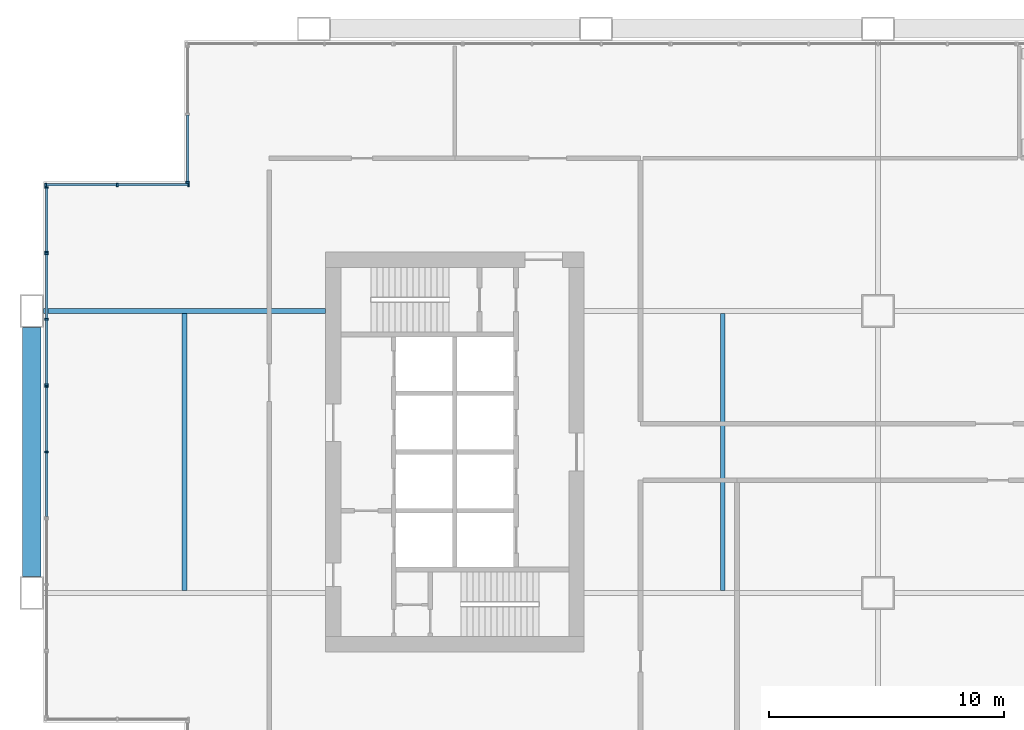
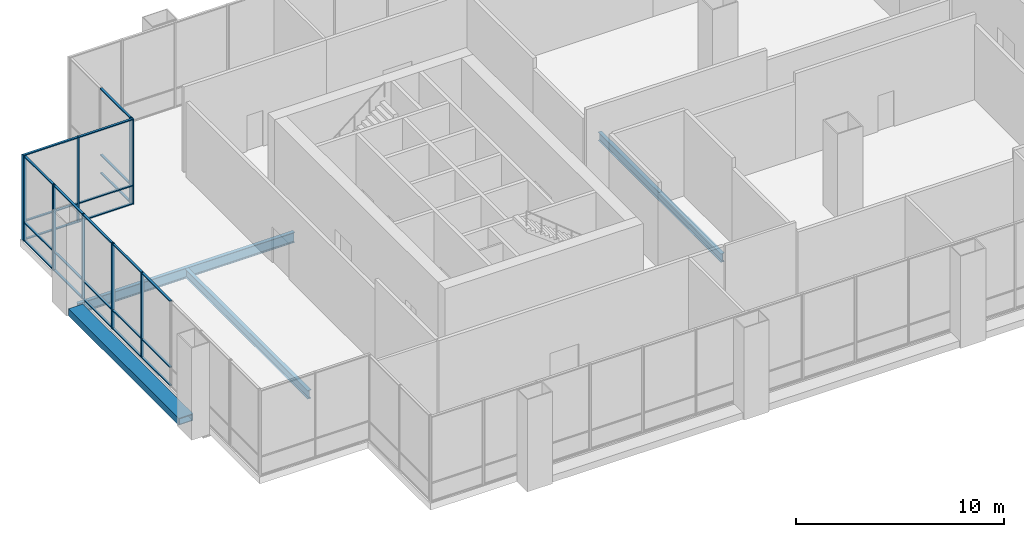
# One storey, part 4 of 20: 35 members, 4 beams, 5 elements without a shape of their own.
"""IFC4 building model written with IfcOpenShell, lengths in metres."""

from ifc_helpers import new_model, si_unit, direction, frame, origin, origin_2d, place, context, subcontext, project, spatial, rectangle, hollow_rectangle, i_section, extrude, material, material_profile, profile_set, type_object, element, aggregate, save


model = new_model("IFC4")

# Units and contexts
model_context = context("Model", 3, precision=1e-05, world=origin(), true_north=direction((0.0, 1.0)))
body_context = subcontext(model_context, "Body", "Model", "MODEL_VIEW")
ifc_project = project(units=[si_unit("LENGTHUNIT", "METRE"), si_unit("AREAUNIT", "SQUARE_METRE"), si_unit("VOLUMEUNIT", "CUBIC_METRE"), si_unit("PLANEANGLEUNIT", "RADIAN"), si_unit("MASSUNIT", "GRAM", prefix="KILO")], contexts=[model_context])

# Site, building, storey
site_placement = place(None, origin())
site = spatial("IfcSite", under=ifc_project, at=site_placement, CompositionType="ELEMENT")
building_placement = place(site_placement, origin())
building = spatial("IfcBuilding", under=site, at=building_placement, Name="Kitamizu Gate Tower and Museum", CompositionType="ELEMENT")
storey_placement = place(building_placement, frame((0.0, 0.0, 148.35009765625)))
storey = spatial("IfcBuildingStorey", under=building, at=storey_placement, Name="L39", CompositionType="ELEMENT", Elevation=148.35009765625)

# Beams
ifc_material_1 = material(Name="Steel SM490A bronze coated", Category="steel")
ifc_material_profile_1 = material_profile(ifc_material_1, hollow_rectangle(XDim=0.800048828125, YDim=0.39990234375, WallThickness=0.0400390625, at=origin_2d()), Name="BOX 800x400x40")
ifc_profile_set_1 = profile_set([ifc_material_profile_1], Name="Steel SM490A bronze coated")
beam_type_1 = type_object("IfcBeamType", Name="Exoskeleton spandrel beam SB1 BOX 800x400x40", PredefinedType="SPANDREL", material=ifc_profile_set_1)
beam_1_placement = place(storey_placement, frame((0.0, 24.699951171875, -0.2001953125), z_axis=(0.0, 1.0, 0.0), x_axis=(-1.0, 0.0, 0.0)))
element("IfcBeam", 1, at=beam_1_placement, inside=storey, type_object=beam_type_1, Name="Exoskeleton spandrel beam west 24 L39", PredefinedType="SPANDREL", context=body_context, shape_type="SweptSolid", body=[
    extrude(hollow_rectangle(XDim=0.800048828125, YDim=0.39990234375, WallThickness=0.0400390625, at=origin_2d()), origin(), (0.0, 0.0, 1.0), 10.60009765625),
])
ifc_material_2 = material(Name="Steel SM490A", Category="steel")
ifc_material_profile_2 = material_profile(ifc_material_2, i_section(OverallWidth=0.199951171875, OverallDepth=0.5, WebThickness=0.010009765625, FlangeThickness=0.01611328125, FilletRadius=0.02001953125, at=origin_2d()), Name="H-500x200x10x16")
ifc_profile_set_2 = profile_set([ifc_material_profile_2], Name="Steel SM490A")
beam_type_2 = type_object("IfcBeamType", Name="Floor beam FB1 H 500x200x10x16", PredefinedType="BEAM", material=ifc_profile_set_2)
for number, where, z_axis, x_axis, name in (
    (2, (6.5, 24.10009765625, -0.650146484375), (0.0, 1.0, 0.0), (-1.0, 0.0, 0.0), "Floor beam FB1 L39-1"),
    (3, (29.39990234375, 24.10009765625, -0.650146484375), (0.0, 1.0, 0.0), (-1.0, 0.0, 0.0), "Floor beam FB1 L39-2"),
):
    element("IfcBeam", number, at=place(storey_placement, frame(where, z_axis=z_axis, x_axis=x_axis)), inside=storey, type_object=beam_type_2, Name=name, PredefinedType="BEAM", context=body_context, shape_type="SweptSolid", body=[
        extrude(i_section(OverallWidth=0.199951171875, OverallDepth=0.5, WebThickness=0.010009765625, FlangeThickness=0.01611328125, FilletRadius=0.02001953125, at=origin_2d()), origin(), (0.0, 0.0, 1.0), 11.7998046875),
    ])
ifc_material_3 = material(Name="Steel SM490A", Category="steel")
ifc_material_profile_3 = material_profile(ifc_material_3, i_section(OverallWidth=0.199951171875, OverallDepth=0.60009765625, WebThickness=0.010986328125, FlangeThickness=0.01708984375, FilletRadius=0.02197265625, at=origin_2d()), Name="H-600x200x11x17")
ifc_profile_set_3 = profile_set([ifc_material_profile_3], Name="Steel SM490A")
beam_type_3 = type_object("IfcBeamType", Name="Floor girder FG1 H 600x200x11x17", PredefinedType="BEAM", material=ifc_profile_set_3)
beam_2_placement = place(storey_placement, frame((0.5, 36.0, -0.7001953125), z_axis=(1.0, 0.0, 0.0), x_axis=(0.0, 1.0, 0.0)))
element("IfcBeam", 4, at=beam_2_placement, inside=storey, type_object=beam_type_3, Name="Floor girder FG1 y36 L39", PredefinedType="BEAM", context=body_context, shape_type="SweptSolid", body=[
    extrude(i_section(OverallWidth=0.199951171875, OverallDepth=0.60009765625, WebThickness=0.010986328125, FlangeThickness=0.01708984375, FilletRadius=0.02197265625, at=origin_2d()), origin(), (0.0, 0.0, 1.0), 12.0),
])

# Curtain wall, member
ifc_material_4 = material(Name="Bronze anodised aluminium frame, tinted triple glazing", Category="aluminium")
curtain_wall_type_1 = type_object("IfcCurtainWallType", Name="CURTAIN WALL TYPE B SKY LOBBY", PredefinedType="NOTDEFINED", material=ifc_material_4)
curtain_wall_1_placement = place(storey_placement, origin())
curtain_wall_1 = element("IfcCurtainWall", 5, at=curtain_wall_1_placement, inside=storey, type_object=curtain_wall_type_1, Name="Curtain wall CW-B west L39", PredefinedType="NOTDEFINED")
ifc_material_5 = material(Name="Bronze anodised aluminium", Category="aluminium")
ifc_material_profile_4 = material_profile(ifc_material_5, rectangle(XDim=0.070068359375, YDim=0.14990234375, at=origin_2d()), Name="AL 70X150")
ifc_profile_set_4 = profile_set([ifc_material_profile_4], Name="Bronze anodised aluminium")
member_type_1 = type_object("IfcMemberType", Name="MULLION 70 X 150 TYPE B", PredefinedType="MULLION", material=ifc_profile_set_4)
member_1_placement = place(storey_placement, frame((6.635009765625, 41.47509765625, 0.0), z_axis=(0.0, 0.0, 1.0), x_axis=(0.0, 1.0, 0.0)))
member_1 = element("IfcMember", 6, at=member_1_placement, type_object=member_type_1, Name="CW-B mullion 1", PredefinedType="MULLION", context=body_context, shape_type="SweptSolid", body=[
    extrude(rectangle(XDim=0.070068359375, YDim=0.14990234375, at=origin_2d()), origin(), (0.0, 0.0, 1.0), 5.0),
])

# Curtain wall, members
curtain_wall_2_placement = place(storey_placement, origin())
curtain_wall_2 = element("IfcCurtainWall", 7, at=curtain_wall_2_placement, inside=storey, type_object=curtain_wall_type_1, Name="Curtain wall CW-B north L39", PredefinedType="NOTDEFINED")
member_2_placement = place(storey_placement, frame((0.594970703125, 41.364990234375, 0.0), z_axis=(0.0, 0.0, 1.0), x_axis=(1.0, 0.0, 0.0)))
member_2 = element("IfcMember", 8, at=member_2_placement, type_object=member_type_1, Name="CW-B mullion 1", PredefinedType="MULLION", context=body_context, shape_type="SweptSolid", body=[
    extrude(rectangle(XDim=0.070068359375, YDim=0.14990234375, at=origin_2d()), origin(), (0.0, 0.0, 1.0), 5.0),
])
member_3_placement = place(storey_placement, frame((3.635009765625, 41.364990234375, 0.0), z_axis=(0.0, 0.0, 1.0), x_axis=(1.0, 0.0, 0.0)))
member_3 = element("IfcMember", 9, at=member_3_placement, type_object=member_type_1, Name="CW-B mullion 2", PredefinedType="MULLION", context=body_context, shape_type="SweptSolid", body=[
    extrude(rectangle(XDim=0.070068359375, YDim=0.14990234375, at=origin_2d()), origin(), (0.0, 0.0, 1.0), 5.0),
])
member_4_placement = place(storey_placement, frame((6.675048828125, 41.364990234375, 0.0), z_axis=(0.0, 0.0, 1.0), x_axis=(1.0, 0.0, 0.0)))
member_4 = element("IfcMember", 10, at=member_4_placement, type_object=member_type_1, Name="CW-B mullion 3", PredefinedType="MULLION", context=body_context, shape_type="SweptSolid", body=[
    extrude(rectangle(XDim=0.070068359375, YDim=0.14990234375, at=origin_2d()), origin(), (0.0, 0.0, 1.0), 5.0),
])

curtain_wall_3_placement = place(storey_placement, origin())
curtain_wall_3 = element("IfcCurtainWall", 11, at=curtain_wall_3_placement, inside=storey, type_object=curtain_wall_type_1, Name="Curtain wall CW-B west L39 part 3", PredefinedType="NOTDEFINED")
member_5_placement = place(storey_placement, frame((0.635009765625, 30.0, 0.0), z_axis=(0.0, 0.0, 1.0), x_axis=(0.0, 1.0, 0.0)))
member_5 = element("IfcMember", 12, at=member_5_placement, type_object=member_type_1, Name="CW-B mullion 2", PredefinedType="MULLION", context=body_context, shape_type="SweptSolid", body=[
    extrude(rectangle(XDim=0.070068359375, YDim=0.14990234375, at=origin_2d()), origin(), (0.0, 0.0, 1.0), 5.0),
])
member_6_placement = place(storey_placement, frame((0.635009765625, 32.78759765625, 0.0), z_axis=(0.0, 0.0, 1.0), x_axis=(0.0, 1.0, 0.0)))
member_6 = element("IfcMember", 13, at=member_6_placement, type_object=member_type_1, Name="CW-B mullion 3", PredefinedType="MULLION", context=body_context, shape_type="SweptSolid", body=[
    extrude(rectangle(XDim=0.070068359375, YDim=0.14990234375, at=origin_2d()), origin(), (0.0, 0.0, 1.0), 5.0),
])

ifc_material_6 = material(Name="Bronze anodised aluminium frame, insulated panels", Category="aluminium")
curtain_wall_type_2 = type_object("IfcCurtainWallType", Name="CURTAIN WALL TYPE B SKY LOBBY INSULATED", PredefinedType="NOTDEFINED", material=ifc_material_6)
curtain_wall_4_placement = place(storey_placement, origin())
curtain_wall_4 = element("IfcCurtainWall", 14, at=curtain_wall_4_placement, inside=storey, type_object=curtain_wall_type_2, Name="Curtain wall CW-BI west L39 part 4", PredefinedType="NOTDEFINED")
member_7_placement = place(storey_placement, frame((0.635009765625, 32.857421875, 0.0), z_axis=(0.0, 0.0, 1.0), x_axis=(0.0, 1.0, 0.0)))
member_7 = element("IfcMember", 15, at=member_7_placement, type_object=member_type_1, Name="CW-BI mullion 1", PredefinedType="MULLION", context=body_context, shape_type="SweptSolid", body=[
    extrude(rectangle(XDim=0.070068359375, YDim=0.14990234375, at=origin_2d()), origin(), (0.0, 0.0, 1.0), 5.0),
])
member_8_placement = place(storey_placement, frame((0.635009765625, 35.64501953125, 0.0), z_axis=(0.0, 0.0, 1.0), x_axis=(0.0, 1.0, 0.0)))
member_8 = element("IfcMember", 16, at=member_8_placement, type_object=member_type_1, Name="CW-BI mullion 2", PredefinedType="MULLION", context=body_context, shape_type="SweptSolid", body=[
    extrude(rectangle(XDim=0.070068359375, YDim=0.14990234375, at=origin_2d()), origin(), (0.0, 0.0, 1.0), 5.0),
])
member_9_placement = place(storey_placement, frame((0.635009765625, 38.4326171875, 0.0), z_axis=(0.0, 0.0, 1.0), x_axis=(0.0, 1.0, 0.0)))
member_9 = element("IfcMember", 17, at=member_9_placement, type_object=member_type_1, Name="CW-BI mullion 3", PredefinedType="MULLION", context=body_context, shape_type="SweptSolid", body=[
    extrude(rectangle(XDim=0.070068359375, YDim=0.14990234375, at=origin_2d()), origin(), (0.0, 0.0, 1.0), 5.0),
])

curtain_wall_5_placement = place(storey_placement, origin())
curtain_wall_5 = element("IfcCurtainWall", 18, at=curtain_wall_5_placement, inside=storey, type_object=curtain_wall_type_1, Name="Curtain wall CW-B west L39 part 5", PredefinedType="NOTDEFINED")
member_10_placement = place(storey_placement, frame((0.635009765625, 38.50244140625, 0.0), z_axis=(0.0, 0.0, 1.0), x_axis=(0.0, 1.0, 0.0)))
member_10 = element("IfcMember", 19, at=member_10_placement, type_object=member_type_1, Name="CW-B mullion 1", PredefinedType="MULLION", context=body_context, shape_type="SweptSolid", body=[
    extrude(rectangle(XDim=0.070068359375, YDim=0.14990234375, at=origin_2d()), origin(), (0.0, 0.0, 1.0), 5.0),
])
member_11_placement = place(storey_placement, frame((0.635009765625, 41.2548828125, 0.0), z_axis=(0.0, 0.0, 1.0), x_axis=(0.0, 1.0, 0.0)))
member_11 = element("IfcMember", 20, at=member_11_placement, type_object=member_type_1, Name="CW-B mullion 2", PredefinedType="MULLION", context=body_context, shape_type="SweptSolid", body=[
    extrude(rectangle(XDim=0.070068359375, YDim=0.14990234375, at=origin_2d()), origin(), (0.0, 0.0, 1.0), 5.0),
])

# Member
ifc_material_7 = material(Name="Bronze anodised aluminium", Category="aluminium")
ifc_material_profile_5 = material_profile(ifc_material_7, rectangle(XDim=0.1201171875, YDim=0.06005859375, at=origin_2d()), Name="AL 60X120")
ifc_profile_set_5 = profile_set([ifc_material_profile_5], Name="Bronze anodised aluminium")
member_type_2 = type_object("IfcMemberType", Name="TRANSOM 60 X 120 TYPE B", PredefinedType="USERDEFINED", material=ifc_profile_set_5)
member_12_placement = place(storey_placement, frame((6.635009765625, 41.510009765625, 0.02978515625), z_axis=(0.0, 1.0, 0.0), x_axis=(-1.0, 0.0, 0.0)))
member_12 = element("IfcMember", 21, at=member_12_placement, type_object=member_type_2, Name="CW-B transom 1.1", ObjectType="TRANSOM", PredefinedType="USERDEFINED", context=body_context, shape_type="SweptSolid", body=[
    extrude(rectangle(XDim=0.1201171875, YDim=0.06005859375, at=origin_2d()), origin(), (0.0, 0.0, 1.0), 2.820068359375),
])

member_13_placement = place(storey_placement, frame((6.635009765625, 41.510009765625, 1.099853515625), z_axis=(0.0, 1.0, 0.0), x_axis=(-1.0, 0.0, 0.0)))
member_13 = element("IfcMember", 22, at=member_13_placement, type_object=member_type_2, Name="CW-B transom 1.2", ObjectType="TRANSOM", PredefinedType="USERDEFINED", context=body_context, shape_type="SweptSolid", body=[
    extrude(rectangle(XDim=0.1201171875, YDim=0.06005859375, at=origin_2d()), origin(), (0.0, 0.0, 1.0), 2.820068359375),
])

member_14_placement = place(storey_placement, frame((6.635009765625, 41.510009765625, 4.969970703125), z_axis=(0.0, 1.0, 0.0), x_axis=(-1.0, 0.0, 0.0)))
member_14 = element("IfcMember", 23, at=member_14_placement, type_object=member_type_2, Name="CW-B transom 1.3", ObjectType="TRANSOM", PredefinedType="USERDEFINED", context=body_context, shape_type="SweptSolid", body=[
    extrude(rectangle(XDim=0.1201171875, YDim=0.06005859375, at=origin_2d()), origin(), (0.0, 0.0, 1.0), 2.820068359375),
])

aggregate(curtain_wall_1, [member_1, member_12, member_13, member_14])

member_15_placement = place(storey_placement, frame((0.6298828125, 41.364990234375, 0.02978515625), z_axis=(1.0, 0.0, 0.0), x_axis=(0.0, 1.0, 0.0)))
member_15 = element("IfcMember", 24, at=member_15_placement, type_object=member_type_2, Name="CW-B transom 1.1", ObjectType="TRANSOM", PredefinedType="USERDEFINED", context=body_context, shape_type="SweptSolid", body=[
    extrude(rectangle(XDim=0.1201171875, YDim=0.06005859375, at=origin_2d()), origin(), (0.0, 0.0, 1.0), 2.97021484375),
])

member_16_placement = place(storey_placement, frame((0.6298828125, 41.364990234375, 1.099853515625), z_axis=(1.0, 0.0, 0.0), x_axis=(0.0, 1.0, 0.0)))
member_16 = element("IfcMember", 25, at=member_16_placement, type_object=member_type_2, Name="CW-B transom 1.2", ObjectType="TRANSOM", PredefinedType="USERDEFINED", context=body_context, shape_type="SweptSolid", body=[
    extrude(rectangle(XDim=0.1201171875, YDim=0.06005859375, at=origin_2d()), origin(), (0.0, 0.0, 1.0), 2.97021484375),
])

member_17_placement = place(storey_placement, frame((0.6298828125, 41.364990234375, 4.969970703125), z_axis=(1.0, 0.0, 0.0), x_axis=(0.0, 1.0, 0.0)))
member_17 = element("IfcMember", 26, at=member_17_placement, type_object=member_type_2, Name="CW-B transom 1.3", ObjectType="TRANSOM", PredefinedType="USERDEFINED", context=body_context, shape_type="SweptSolid", body=[
    extrude(rectangle(XDim=0.1201171875, YDim=0.06005859375, at=origin_2d()), origin(), (0.0, 0.0, 1.0), 2.97021484375),
])

member_18_placement = place(storey_placement, frame((3.669921875, 41.364990234375, 0.02978515625), z_axis=(1.0, 0.0, 0.0), x_axis=(0.0, 1.0, 0.0)))
member_18 = element("IfcMember", 27, at=member_18_placement, type_object=member_type_2, Name="CW-B transom 2.1", ObjectType="TRANSOM", PredefinedType="USERDEFINED", context=body_context, shape_type="SweptSolid", body=[
    extrude(rectangle(XDim=0.1201171875, YDim=0.06005859375, at=origin_2d()), origin(), (0.0, 0.0, 1.0), 2.969970703125),
])

member_19_placement = place(storey_placement, frame((3.669921875, 41.364990234375, 1.099853515625), z_axis=(1.0, 0.0, 0.0), x_axis=(0.0, 1.0, 0.0)))
member_19 = element("IfcMember", 28, at=member_19_placement, type_object=member_type_2, Name="CW-B transom 2.2", ObjectType="TRANSOM", PredefinedType="USERDEFINED", context=body_context, shape_type="SweptSolid", body=[
    extrude(rectangle(XDim=0.1201171875, YDim=0.06005859375, at=origin_2d()), origin(), (0.0, 0.0, 1.0), 2.969970703125),
])

member_20_placement = place(storey_placement, frame((3.669921875, 41.364990234375, 4.969970703125), z_axis=(1.0, 0.0, 0.0), x_axis=(0.0, 1.0, 0.0)))
member_20 = element("IfcMember", 29, at=member_20_placement, type_object=member_type_2, Name="CW-B transom 2.3", ObjectType="TRANSOM", PredefinedType="USERDEFINED", context=body_context, shape_type="SweptSolid", body=[
    extrude(rectangle(XDim=0.1201171875, YDim=0.06005859375, at=origin_2d()), origin(), (0.0, 0.0, 1.0), 2.969970703125),
])

aggregate(curtain_wall_2, [member_2, member_3, member_4, member_15, member_16, member_17, member_18, member_19, member_20])

member_21_placement = place(storey_placement, frame((0.635009765625, 27.24755859375, 0.02978515625), z_axis=(0.0, 1.0, 0.0), x_axis=(-1.0, 0.0, 0.0)))
member_21 = element("IfcMember", 30, at=member_21_placement, type_object=member_type_2, Name="CW-B transom 1.1", ObjectType="TRANSOM", PredefinedType="USERDEFINED", context=body_context, shape_type="SweptSolid", body=[
    extrude(rectangle(XDim=0.1201171875, YDim=0.06005859375, at=origin_2d()), origin(), (0.0, 0.0, 1.0), 2.717529296875),
])

member_22_placement = place(storey_placement, frame((0.635009765625, 27.24755859375, 1.099853515625), z_axis=(0.0, 1.0, 0.0), x_axis=(-1.0, 0.0, 0.0)))
member_22 = element("IfcMember", 31, at=member_22_placement, type_object=member_type_2, Name="CW-B transom 1.2", ObjectType="TRANSOM", PredefinedType="USERDEFINED", context=body_context, shape_type="SweptSolid", body=[
    extrude(rectangle(XDim=0.1201171875, YDim=0.06005859375, at=origin_2d()), origin(), (0.0, 0.0, 1.0), 2.717529296875),
])

member_23_placement = place(storey_placement, frame((0.635009765625, 27.24755859375, 4.969970703125), z_axis=(0.0, 1.0, 0.0), x_axis=(-1.0, 0.0, 0.0)))
member_23 = element("IfcMember", 32, at=member_23_placement, type_object=member_type_2, Name="CW-B transom 1.3", ObjectType="TRANSOM", PredefinedType="USERDEFINED", context=body_context, shape_type="SweptSolid", body=[
    extrude(rectangle(XDim=0.1201171875, YDim=0.06005859375, at=origin_2d()), origin(), (0.0, 0.0, 1.0), 2.717529296875),
])

member_24_placement = place(storey_placement, frame((0.635009765625, 30.034912109375, 0.02978515625), z_axis=(0.0, 1.0, 0.0), x_axis=(-1.0, 0.0, 0.0)))
member_24 = element("IfcMember", 33, at=member_24_placement, type_object=member_type_2, Name="CW-B transom 2.1", ObjectType="TRANSOM", PredefinedType="USERDEFINED", context=body_context, shape_type="SweptSolid", body=[
    extrude(rectangle(XDim=0.1201171875, YDim=0.06005859375, at=origin_2d()), origin(), (0.0, 0.0, 1.0), 2.717529296875),
])

member_25_placement = place(storey_placement, frame((0.635009765625, 30.034912109375, 1.099853515625), z_axis=(0.0, 1.0, 0.0), x_axis=(-1.0, 0.0, 0.0)))
member_25 = element("IfcMember", 34, at=member_25_placement, type_object=member_type_2, Name="CW-B transom 2.2", ObjectType="TRANSOM", PredefinedType="USERDEFINED", context=body_context, shape_type="SweptSolid", body=[
    extrude(rectangle(XDim=0.1201171875, YDim=0.06005859375, at=origin_2d()), origin(), (0.0, 0.0, 1.0), 2.717529296875),
])

member_26_placement = place(storey_placement, frame((0.635009765625, 30.034912109375, 4.969970703125), z_axis=(0.0, 1.0, 0.0), x_axis=(-1.0, 0.0, 0.0)))
member_26 = element("IfcMember", 35, at=member_26_placement, type_object=member_type_2, Name="CW-B transom 2.3", ObjectType="TRANSOM", PredefinedType="USERDEFINED", context=body_context, shape_type="SweptSolid", body=[
    extrude(rectangle(XDim=0.1201171875, YDim=0.06005859375, at=origin_2d()), origin(), (0.0, 0.0, 1.0), 2.717529296875),
])

aggregate(curtain_wall_3, [member_5, member_6, member_21, member_22, member_23, member_24, member_25, member_26])

member_27_placement = place(storey_placement, frame((0.635009765625, 32.892578125, 0.02978515625), z_axis=(0.0, 1.0, 0.0), x_axis=(-1.0, 0.0, 0.0)))
member_27 = element("IfcMember", 36, at=member_27_placement, type_object=member_type_2, Name="CW-BI transom 1.1", ObjectType="TRANSOM", PredefinedType="USERDEFINED", context=body_context, shape_type="SweptSolid", body=[
    extrude(rectangle(XDim=0.1201171875, YDim=0.06005859375, at=origin_2d()), origin(), (0.0, 0.0, 1.0), 2.717529296875),
])

member_28_placement = place(storey_placement, frame((0.635009765625, 32.892578125, 1.099853515625), z_axis=(0.0, 1.0, 0.0), x_axis=(-1.0, 0.0, 0.0)))
member_28 = element("IfcMember", 37, at=member_28_placement, type_object=member_type_2, Name="CW-BI transom 1.2", ObjectType="TRANSOM", PredefinedType="USERDEFINED", context=body_context, shape_type="SweptSolid", body=[
    extrude(rectangle(XDim=0.1201171875, YDim=0.06005859375, at=origin_2d()), origin(), (0.0, 0.0, 1.0), 2.717529296875),
])

member_29_placement = place(storey_placement, frame((0.635009765625, 32.892578125, 4.969970703125), z_axis=(0.0, 1.0, 0.0), x_axis=(-1.0, 0.0, 0.0)))
member_29 = element("IfcMember", 38, at=member_29_placement, type_object=member_type_2, Name="CW-BI transom 1.3", ObjectType="TRANSOM", PredefinedType="USERDEFINED", context=body_context, shape_type="SweptSolid", body=[
    extrude(rectangle(XDim=0.1201171875, YDim=0.06005859375, at=origin_2d()), origin(), (0.0, 0.0, 1.0), 2.717529296875),
])

member_30_placement = place(storey_placement, frame((0.635009765625, 35.679931640625, 0.02978515625), z_axis=(0.0, 1.0, 0.0), x_axis=(-1.0, 0.0, 0.0)))
member_30 = element("IfcMember", 39, at=member_30_placement, type_object=member_type_2, Name="CW-BI transom 2.1", ObjectType="TRANSOM", PredefinedType="USERDEFINED", context=body_context, shape_type="SweptSolid", body=[
    extrude(rectangle(XDim=0.1201171875, YDim=0.06005859375, at=origin_2d()), origin(), (0.0, 0.0, 1.0), 2.717529296875),
])

member_31_placement = place(storey_placement, frame((0.635009765625, 35.679931640625, 1.099853515625), z_axis=(0.0, 1.0, 0.0), x_axis=(-1.0, 0.0, 0.0)))
member_31 = element("IfcMember", 40, at=member_31_placement, type_object=member_type_2, Name="CW-BI transom 2.2", ObjectType="TRANSOM", PredefinedType="USERDEFINED", context=body_context, shape_type="SweptSolid", body=[
    extrude(rectangle(XDim=0.1201171875, YDim=0.06005859375, at=origin_2d()), origin(), (0.0, 0.0, 1.0), 2.717529296875),
])

member_32_placement = place(storey_placement, frame((0.635009765625, 35.679931640625, 4.969970703125), z_axis=(0.0, 1.0, 0.0), x_axis=(-1.0, 0.0, 0.0)))
member_32 = element("IfcMember", 41, at=member_32_placement, type_object=member_type_2, Name="CW-BI transom 2.3", ObjectType="TRANSOM", PredefinedType="USERDEFINED", context=body_context, shape_type="SweptSolid", body=[
    extrude(rectangle(XDim=0.1201171875, YDim=0.06005859375, at=origin_2d()), origin(), (0.0, 0.0, 1.0), 2.717529296875),
])

aggregate(curtain_wall_4, [member_7, member_8, member_9, member_27, member_28, member_29, member_30, member_31, member_32])

member_33_placement = place(storey_placement, frame((0.635009765625, 38.53759765625, 0.02978515625), z_axis=(0.0, 1.0, 0.0), x_axis=(-1.0, 0.0, 0.0)))
member_33 = element("IfcMember", 42, at=member_33_placement, type_object=member_type_2, Name="CW-B transom 1.1", ObjectType="TRANSOM", PredefinedType="USERDEFINED", context=body_context, shape_type="SweptSolid", body=[
    extrude(rectangle(XDim=0.1201171875, YDim=0.06005859375, at=origin_2d()), origin(), (0.0, 0.0, 1.0), 2.682373046875),
])

member_34_placement = place(storey_placement, frame((0.635009765625, 38.53759765625, 1.099853515625), z_axis=(0.0, 1.0, 0.0), x_axis=(-1.0, 0.0, 0.0)))
member_34 = element("IfcMember", 43, at=member_34_placement, type_object=member_type_2, Name="CW-B transom 1.2", ObjectType="TRANSOM", PredefinedType="USERDEFINED", context=body_context, shape_type="SweptSolid", body=[
    extrude(rectangle(XDim=0.1201171875, YDim=0.06005859375, at=origin_2d()), origin(), (0.0, 0.0, 1.0), 2.682373046875),
])

member_35_placement = place(storey_placement, frame((0.635009765625, 38.53759765625, 4.969970703125), z_axis=(0.0, 1.0, 0.0), x_axis=(-1.0, 0.0, 0.0)))
member_35 = element("IfcMember", 44, at=member_35_placement, type_object=member_type_2, Name="CW-B transom 1.3", ObjectType="TRANSOM", PredefinedType="USERDEFINED", context=body_context, shape_type="SweptSolid", body=[
    extrude(rectangle(XDim=0.1201171875, YDim=0.06005859375, at=origin_2d()), origin(), (0.0, 0.0, 1.0), 2.682373046875),
])

aggregate(curtain_wall_5, [member_10, member_11, member_33, member_34, member_35])

save(model, "model.ifc")
